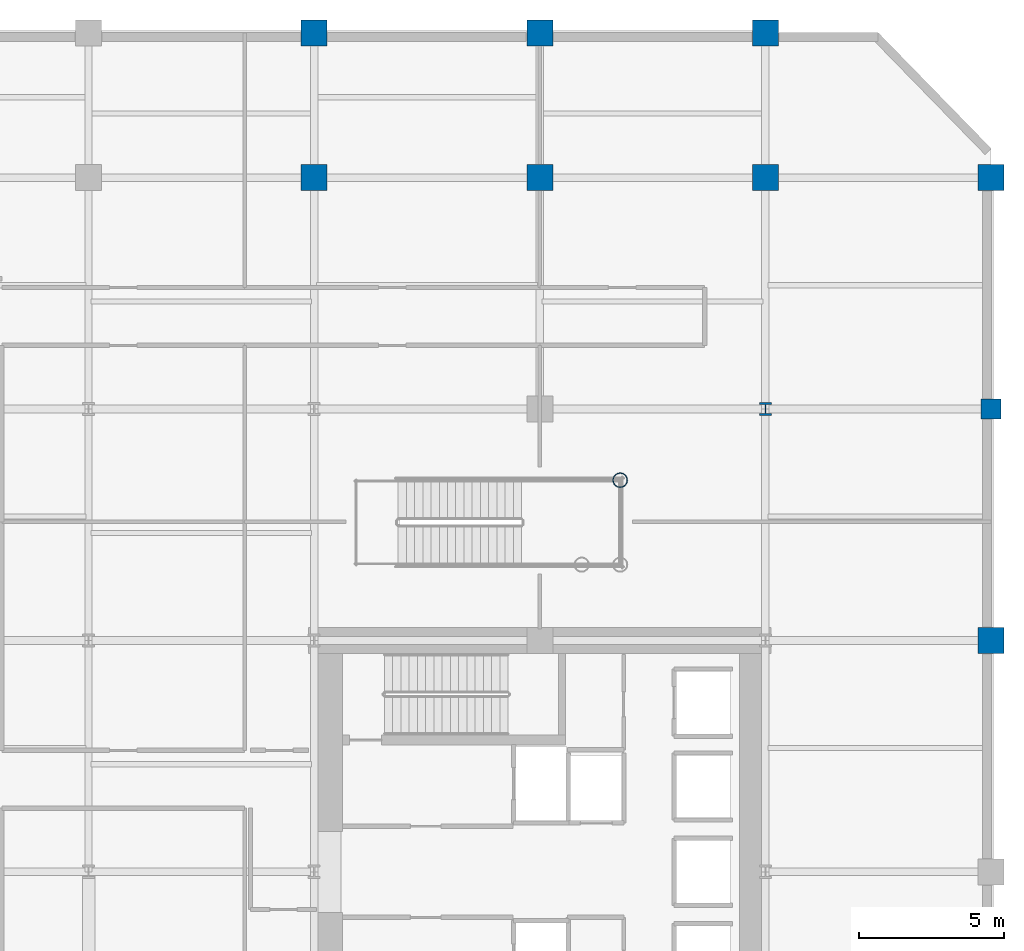
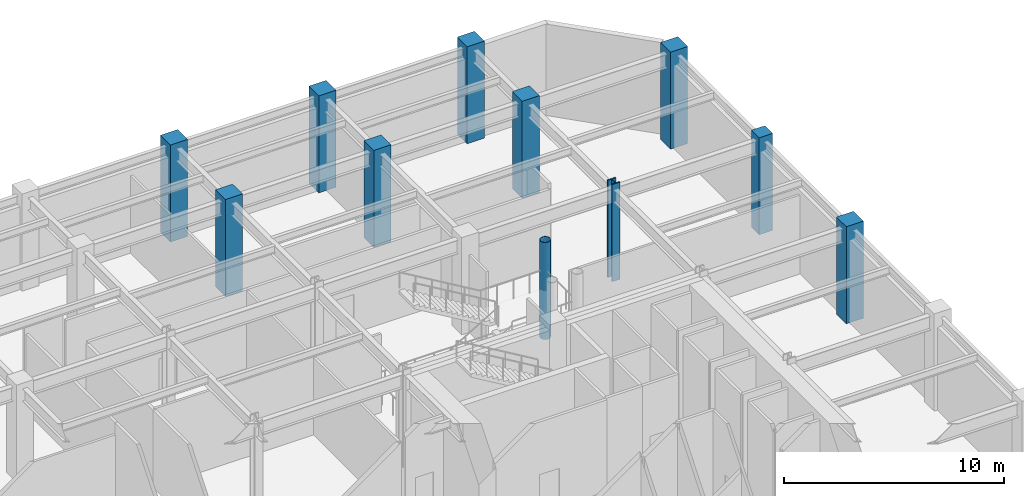
# One storey, part 5 of 13: 11 columns.
"""IFC4 building model written with IfcOpenShell, lengths in metres."""

from ifc_helpers import new_model, si_unit, direction, frame, origin, origin_2d, place, context, subcontext, project, spatial, rectangle, hollow_circle, i_section, extrude, material, material_profile, profile_set, type_object, element, save


model = new_model("IFC4")

# Units and contexts
model_context = context("Model", 3, precision=1e-05, world=origin(), true_north=direction((0.0, 1.0)))
body_context = subcontext(model_context, "Body", "Model", "MODEL_VIEW")
ifc_project = project(units=[si_unit("LENGTHUNIT", "METRE"), si_unit("AREAUNIT", "SQUARE_METRE"), si_unit("VOLUMEUNIT", "CUBIC_METRE"), si_unit("PLANEANGLEUNIT", "RADIAN"), si_unit("MASSUNIT", "GRAM", prefix="KILO")], contexts=[model_context])

# Site, building, storey
site_placement = place(None, origin())
site = spatial("IfcSite", under=ifc_project, at=site_placement, CompositionType="ELEMENT")
building_placement = place(site_placement, origin())
building = spatial("IfcBuilding", under=site, at=building_placement, Name="Veymaron Broadcast Tower", CompositionType="ELEMENT")
storey_placement = place(building_placement, frame((0.0, 0.0, 21.60009765625)))
storey = spatial("IfcBuildingStorey", under=building, at=storey_placement, Name="L04", CompositionType="ELEMENT", Elevation=21.60009765625)

# Columns
ifc_material_1 = material(Name="Structural steel ASTM A913 Gr 65", Category="steel")
ifc_material_profile_1 = material_profile(ifc_material_1, i_section(OverallWidth=0.41796875, OverallDepth=0.455078125, WebThickness=0.0419921875, FlangeThickness=0.067626953125, at=origin_2d()), Name="W360X551")
ifc_profile_set_1 = profile_set([ifc_material_profile_1], Name="Structural steel ASTM A913 Gr 65")
column_type_1 = type_object("IfcColumnType", Name="COL-MC2", PredefinedType="COLUMN", material=ifc_profile_set_1)
column_1_placement = place(storey_placement, frame((54.60009765625, 40.0, 0.0), z_axis=(0.0, 0.0, 1.0), x_axis=(1.0, 0.0, 0.0)))
element("IfcColumn", 1, at=column_1_placement, inside=storey, type_object=column_type_1, Name="L04 column (54.6, 40.0)", PredefinedType="COLUMN", context=body_context, shape_type="SweptSolid", body=[
    extrude(i_section(OverallWidth=0.41796875, OverallDepth=0.455078125, WebThickness=0.0419921875, FlangeThickness=0.067626953125, at=origin_2d()), origin(), (0.0, 0.0, 1.0), 5.39501953125),
])
ifc_material_2 = material(Name="Structural steel ASTM A992 Gr 50", Category="steel")
ifc_material_profile_2 = material_profile(ifc_material_2, hollow_circle(Radius=0.25390625, WallThickness=0.02001953125, at=origin_2d()), Name="CHS508X20")
ifc_profile_set_2 = profile_set([ifc_material_profile_2], Name="Structural steel ASTM A992 Gr 50")
column_type_2 = type_object("IfcColumnType", Name="COL-PL2", PredefinedType="COLUMN", material=ifc_profile_set_2)
column_2_placement = place(storey_placement, frame((49.580078125, 37.5400390625, 0.0), z_axis=(0.0, 0.0, 1.0), x_axis=(1.0, 0.0, 0.0)))
element("IfcColumn", 2, at=column_2_placement, inside=storey, type_object=column_type_2, Name="L04 feature stair support column", PredefinedType="COLUMN", context=body_context, shape_type="SweptSolid", body=[
    extrude(hollow_circle(Radius=0.25390625, WallThickness=0.02001953125, at=origin_2d()), origin(), (0.0, 0.0, 1.0), 5.393798828125),
])
ifc_material_3 = material(Name="Concrete C50/60", Category="concrete")
ifc_material_profile_3 = material_profile(ifc_material_3, rectangle(XDim=0.89990234375, YDim=0.89990234375, at=origin_2d()), Name="RC900X900")
ifc_profile_set_3 = profile_set([ifc_material_profile_3], Name="Concrete C50/60")
column_type_3 = type_object("IfcColumnType", Name="COL-RC4", PredefinedType="COLUMN", material=ifc_profile_set_3)
for number, where, z_axis, x_axis, name in (
    (3, (39.0, 48.0, 0.0), (0.0, 0.0, 1.0), (1.0, 0.0, 0.0), "L04 column (39.0, 48.0)"),
    (4, (39.0, 53.0, 0.0), (0.0, 0.0, 1.0), (1.0, 0.0, 0.0), "L04 column (39.0, 53.0)"),
    (5, (46.800048828125, 48.0, 0.0), (0.0, 0.0, 1.0), (1.0, 0.0, 0.0), "L04 column (46.8, 48.0)"),
    (6, (46.800048828125, 53.0, 0.0), (0.0, 0.0, 1.0), (1.0, 0.0, 0.0), "L04 column (46.8, 53.0)"),
    (7, (54.60009765625, 48.0, 0.0), (0.0, 0.0, 1.0), (1.0, 0.0, 0.0), "L04 column (54.6, 48.0)"),
    (8, (54.60009765625, 53.0, 0.0), (0.0, 0.0, 1.0), (1.0, 0.0, 0.0), "L04 column (54.6, 53.0)"),
    (9, (62.39990234375, 32.0, 0.0), (0.0, 0.0, 1.0), (1.0, 0.0, 0.0), "L04 column (62.4, 32.0)"),
    (10, (62.39990234375, 48.0, 0.0), (0.0, 0.0, 1.0), (1.0, 0.0, 0.0), "L04 column (62.4, 48.0)"),
):
    element("IfcColumn", number, at=place(storey_placement, frame(where, z_axis=z_axis, x_axis=x_axis)), inside=storey, type_object=column_type_3, Name=name, PredefinedType="COLUMN", context=body_context, shape_type="SweptSolid", body=[
        extrude(rectangle(XDim=0.89990234375, YDim=0.89990234375, at=origin_2d()), origin(), (0.0, 0.0, 1.0), 5.39501953125),
    ])
ifc_material_4 = material(Name="Concrete C40/50", Category="concrete")
ifc_material_profile_4 = material_profile(ifc_material_4, rectangle(XDim=0.699951171875, YDim=0.699951171875, at=origin_2d()), Name="RC700X700")
ifc_profile_set_4 = profile_set([ifc_material_profile_4], Name="Concrete C40/50")
column_type_4 = type_object("IfcColumnType", Name="COL-RC6", PredefinedType="PILASTER", material=ifc_profile_set_4)
column_3_placement = place(storey_placement, frame((62.39990234375, 40.0, 0.0), z_axis=(0.0, 0.0, 1.0), x_axis=(1.0, 0.0, 0.0)))
element("IfcColumn", 11, at=column_3_placement, inside=storey, type_object=column_type_4, Name="L04 column (62.4, 40.0)", PredefinedType="PILASTER", context=body_context, shape_type="SweptSolid", body=[
    extrude(rectangle(XDim=0.699951171875, YDim=0.699951171875, at=origin_2d()), origin(), (0.0, 0.0, 1.0), 5.39501953125),
])

save(model, "model.ifc")
